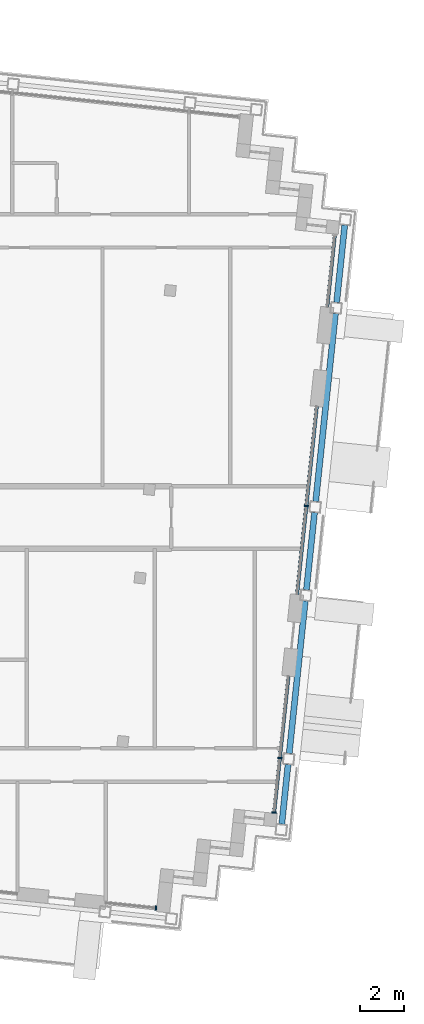
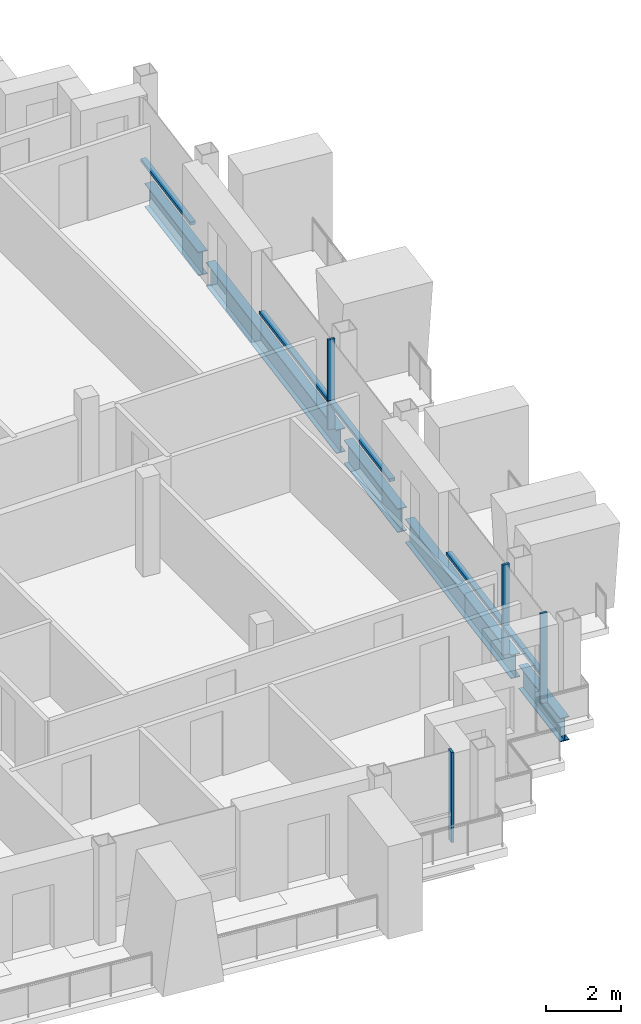
# One storey, part 4 of 17: 9 members, 5 beams, 4 elements without a shape of their own.
"""IFC4 building model written with IfcOpenShell, lengths in metres."""

from ifc_helpers import new_model, si_unit, direction, frame, origin, origin_2d, place, context, subcontext, project, spatial, rectangle, i_section, extrude, material, material_profile, profile_set, type_object, element, aggregate, save


model = new_model("IFC4")

# Units and contexts
model_context = context("Model", 3, precision=1e-05, world=origin(), true_north=direction((0.0, 1.0)))
body_context = subcontext(model_context, "Body", "Model", "MODEL_VIEW")
ifc_project = project(units=[si_unit("LENGTHUNIT", "METRE"), si_unit("AREAUNIT", "SQUARE_METRE"), si_unit("VOLUMEUNIT", "CUBIC_METRE"), si_unit("PLANEANGLEUNIT", "RADIAN"), si_unit("MASSUNIT", "GRAM", prefix="KILO")], contexts=[model_context])

# Site, building, storey
site_placement = place(None, origin())
site = spatial("IfcSite", under=ifc_project, at=site_placement, CompositionType="ELEMENT")
building_placement = place(site_placement, origin())
building = spatial("IfcBuilding", under=site, at=building_placement, Name="Vidyagriha Tower", CompositionType="ELEMENT")
storey_placement = place(building_placement, frame((0.0, 0.0, 265.89990234375)))
storey = spatial("IfcBuildingStorey", under=building, at=storey_placement, Name="L69", CompositionType="ELEMENT", Elevation=265.89990234375)

# Beams
ifc_material_1 = material(Name="Steel ASTM A992 Grade 50", Category="steel")
ifc_material_profile_1 = material_profile(ifc_material_1, i_section(OverallWidth=0.2666015625, OverallDepth=0.76953125, WebThickness=0.015625, FlangeThickness=0.025390625, at=origin_2d()), Name="W30X132")
ifc_profile_set_1 = profile_set([ifc_material_profile_1], Name="Steel ASTM A992 Grade 50")
beam_type = type_object("IfcBeamType", Name="Cantilever edge beam W30X132", PredefinedType="SPANDREL", material=ifc_profile_set_1)
beam_1_placement = place(storey_placement, frame((29.968017578125, -13.79736328125, -0.664794921875), z_axis=(0.104435320588, 0.994531680649, 0.0), x_axis=(-0.994531680649, 0.104435320588, 0.0)))
element("IfcBeam", 1, at=beam_1_placement, inside=storey, type_object=beam_type, Name="st-beam-L69-E13", PredefinedType="SPANDREL", context=body_context, shape_type="SweptSolid", body=[
    extrude(i_section(OverallWidth=0.2666015625, OverallDepth=0.76953125, WebThickness=0.015625, FlangeThickness=0.025390625, at=origin_2d()), origin(), (0.0, 0.0, 1.0), 2.699951171875),
])
beam_2_placement = place(storey_placement, frame((30.30224609375, -10.61474609375, -0.664794921875), z_axis=(0.104557694553, 0.994518822602, 0.0), x_axis=(-0.994518822602, 0.104557694553, 0.0)))
element("IfcBeam", 2, at=beam_2_placement, inside=storey, type_object=beam_type, Name="st-beam-L69-E14", PredefinedType="SPANDREL", context=body_context, shape_type="SweptSolid", body=[
    extrude(i_section(OverallWidth=0.2666015625, OverallDepth=0.76953125, WebThickness=0.015625, FlangeThickness=0.025390625, at=origin_2d()), origin(), (0.0, 0.0, 1.0), 6.89990234375),
])
beam_3_placement = place(storey_placement, frame((31.075927734375, -3.25537109375, -0.664794921875), z_axis=(0.104495960989, 0.994525310958, 0.0), x_axis=(-0.994525310958, 0.104495960989, 0.0)))
element("IfcBeam", 3, at=beam_3_placement, inside=storey, type_object=beam_type, Name="st-beam-L69-E15", PredefinedType="SPANDREL", context=body_context, shape_type="SweptSolid", body=[
    extrude(i_section(OverallWidth=0.2666015625, OverallDepth=0.76953125, WebThickness=0.015625, FlangeThickness=0.025390625, at=origin_2d()), origin(), (0.0, 0.0, 1.0), 3.499755859375),
])
beam_4_placement = place(storey_placement, frame((31.493896484375, 0.72265625, -0.664794921875), z_axis=(0.104550220202, 0.994519608382, 0.0), x_axis=(-0.994519608382, 0.104550220202, 0.0)))
element("IfcBeam", 4, at=beam_4_placement, inside=storey, type_object=beam_type, Name="st-beam-L69-E16", PredefinedType="SPANDREL", context=body_context, shape_type="SweptSolid", body=[
    extrude(i_section(OverallWidth=0.2666015625, OverallDepth=0.76953125, WebThickness=0.015625, FlangeThickness=0.025390625, at=origin_2d()), origin(), (0.0, 0.0, 1.0), 8.5),
])
beam_5_placement = place(storey_placement, frame((32.434814453125, 9.67333984375, -0.664794921875), z_axis=(0.104488712073, 0.994526072584, 0.0), x_axis=(-0.994526072584, 0.104488712073, 0.0)))
element("IfcBeam", 5, at=beam_5_placement, inside=storey, type_object=beam_type, Name="st-beam-L69-E17", PredefinedType="SPANDREL", context=body_context, shape_type="SweptSolid", body=[
    extrude(i_section(OverallWidth=0.2666015625, OverallDepth=0.76953125, WebThickness=0.015625, FlangeThickness=0.025390625, at=origin_2d()), origin(), (0.0, 0.0, 1.0), 3.5),
])

# Curtain wall, member
ifc_material_2 = material(Name="Aluminium and glass curtain wall", Category="aluminium")
curtain_wall_type = type_object("IfcCurtainWallType", Name="Dwelling skin unitised curtain wall", PredefinedType="USERDEFINED", material=ifc_material_2)
curtain_wall_1_placement = place(storey_placement, origin())
curtain_wall_1 = element("IfcCurtainWall", 6, at=curtain_wall_1_placement, inside=storey, type_object=curtain_wall_type, Name="CW1 dwelling skin", ObjectType="UNITISED", PredefinedType="USERDEFINED")
ifc_material_3 = material(Name="Aluminium black anodised", Category="aluminium")
ifc_material_profile_2 = material_profile(ifc_material_3, rectangle(XDim=0.199951171875, YDim=0.070068359375, at=origin_2d()), Name="Mullion 70x200 black aluminium")
ifc_profile_set_2 = profile_set([ifc_material_profile_2], Name="Aluminium black anodised")
member_type_1 = type_object("IfcMemberType", Name="Mullion 70x200 black aluminium", PredefinedType="MULLION", material=ifc_profile_set_2)
member_1_placement = place(storey_placement, frame((24.306884765625, -17.576171875, 0.0), z_axis=(0.0, 0.0, 1.0), x_axis=(0.10452182883, 0.994522592653, 0.0)))
member_1 = element("IfcMember", 7, at=member_1_placement, type_object=member_type_1, Name="CW1 mullion 2", PredefinedType="MULLION", context=body_context, shape_type="SweptSolid", body=[
    extrude(rectangle(XDim=0.199951171875, YDim=0.070068359375, at=origin_2d()), origin(), (0.0, 0.0, 1.0), 2.920166015625),
])
aggregate(curtain_wall_1, [member_1])

# Curtain wall, members
curtain_wall_2_placement = place(storey_placement, origin())
curtain_wall_2 = element("IfcCurtainWall", 8, at=curtain_wall_2_placement, inside=storey, type_object=curtain_wall_type, Name="CW1 dwelling skin", ObjectType="UNITISED", PredefinedType="USERDEFINED")
member_2_placement = place(storey_placement, frame((29.620849609375, -13.273193359375, 0.0), z_axis=(0.0, 0.0, 1.0), x_axis=(-0.994521437861, 0.10453281607, 0.0)))
member_2 = element("IfcMember", 9, at=member_2_placement, type_object=member_type_1, Name="CW1 mullion 1", PredefinedType="MULLION", context=body_context, shape_type="SweptSolid", body=[
    extrude(rectangle(XDim=0.199951171875, YDim=0.070068359375, at=origin_2d()), origin(), (0.0, 0.0, 1.0), 2.920166015625),
])
member_3_placement = place(storey_placement, frame((29.87841796875, -10.82177734375, 0.0), z_axis=(0.0, 0.0, 1.0), x_axis=(-0.994521437861, 0.10453281607, 0.0)))
member_3 = element("IfcMember", 10, at=member_3_placement, type_object=member_type_1, Name="CW1 mullion 2", PredefinedType="MULLION", context=body_context, shape_type="SweptSolid", body=[
    extrude(rectangle(XDim=0.199951171875, YDim=0.070068359375, at=origin_2d()), origin(), (0.0, 0.0, 1.0), 2.920166015625),
])

# Curtain wall, member
curtain_wall_3_placement = place(storey_placement, origin())
curtain_wall_3 = element("IfcCurtainWall", 11, at=curtain_wall_3_placement, inside=storey, type_object=curtain_wall_type, Name="CW1 dwelling skin", ObjectType="UNITISED", PredefinedType="USERDEFINED")
member_4_placement = place(storey_placement, frame((31.070068359375, 0.515869140625, 0.0), z_axis=(0.0, 0.0, 1.0), x_axis=(-0.994521750347, 0.104529843047, 0.0)))
member_4 = element("IfcMember", 12, at=member_4_placement, type_object=member_type_1, Name="CW1 mullion 2", PredefinedType="MULLION", context=body_context, shape_type="SweptSolid", body=[
    extrude(rectangle(XDim=0.199951171875, YDim=0.070068359375, at=origin_2d()), origin(), (0.0, 0.0, 1.0), 2.920166015625),
])

# Member
ifc_material_4 = material(Name="Aluminium black anodised", Category="aluminium")
ifc_material_profile_3 = material_profile(ifc_material_4, rectangle(XDim=0.159912109375, YDim=0.10009765625, at=origin_2d()), Name="Transom 100x160 black aluminium")
ifc_profile_set_3 = profile_set([ifc_material_profile_3], Name="Aluminium black anodised")
member_type_2 = type_object("IfcMemberType", Name="Transom 100x160 black aluminium", PredefinedType="USERDEFINED", material=ifc_profile_set_3)
member_5_placement = place(storey_placement, frame((29.62451171875, -13.23828125, 0.900146484375), z_axis=(0.104488443352, 0.994526100817, 0.0), x_axis=(-0.994526100817, 0.104488443352, 0.0)))
member_5 = element("IfcMember", 13, at=member_5_placement, type_object=member_type_2, Name="CW1 transom 1.1", ObjectType="TRANSOM", PredefinedType="USERDEFINED", context=body_context, shape_type="SweptSolid", body=[
    extrude(rectangle(XDim=0.159912109375, YDim=0.10009765625, at=origin_2d()), origin(), (0.0, 0.0, 1.0), 2.39501953125),
])

member_6_placement = place(storey_placement, frame((29.882080078125, -10.786865234375, 0.900146484375), z_axis=(0.104521800028, 0.99452259568, 0.0), x_axis=(-0.99452259568, 0.104521800028, 0.0)))
member_6 = element("IfcMember", 14, at=member_6_placement, type_object=member_type_2, Name="CW1 transom 2.1", ObjectType="TRANSOM", PredefinedType="USERDEFINED", context=body_context, shape_type="SweptSolid", body=[
    extrude(rectangle(XDim=0.159912109375, YDim=0.10009765625, at=origin_2d()), origin(), (0.0, 0.0, 1.0), 3.664794921875),
])

aggregate(curtain_wall_2, [member_2, member_3, member_5, member_6])

member_7_placement = place(storey_placement, frame((30.65185546875, -3.462158203125, 0.900146484375), z_axis=(0.104550167438, 0.994519613929, 0.0), x_axis=(-0.994519613929, 0.104550167438, 0.0)))
member_7 = element("IfcMember", 15, at=member_7_placement, type_object=member_type_2, Name="CW1 transom 1.1", ObjectType="TRANSOM", PredefinedType="USERDEFINED", context=body_context, shape_type="SweptSolid", body=[
    extrude(rectangle(XDim=0.159912109375, YDim=0.10009765625, at=origin_2d()), origin(), (0.0, 0.0, 1.0), 3.965087890625),
])

member_8_placement = place(storey_placement, frame((31.07373046875, 0.55078125, 0.900146484375), z_axis=(0.104494075643, 0.994525509052, 0.0), x_axis=(-0.994525509052, 0.104494075643, 0.0)))
member_8 = element("IfcMember", 16, at=member_8_placement, type_object=member_type_2, Name="CW1 transom 2.1", ObjectType="TRANSOM", PredefinedType="USERDEFINED", context=body_context, shape_type="SweptSolid", body=[
    extrude(rectangle(XDim=0.159912109375, YDim=0.10009765625, at=origin_2d()), origin(), (0.0, 0.0, 1.0), 4.46484375),
])

aggregate(curtain_wall_3, [member_4, member_7, member_8])

# Curtain wall, member
curtain_wall_4_placement = place(storey_placement, origin())
curtain_wall_4 = element("IfcCurtainWall", 17, at=curtain_wall_4_placement, inside=storey, type_object=curtain_wall_type, Name="CW1 dwelling skin", ObjectType="UNITISED", PredefinedType="USERDEFINED")
member_9_placement = place(storey_placement, frame((32.0107421875, 9.466552734375, 0.900146484375), z_axis=(0.104531339354, 0.994521593075, 0.0), x_axis=(-0.994521593075, 0.104531339354, 0.0)))
member_9 = element("IfcMember", 18, at=member_9_placement, type_object=member_type_2, Name="CW1 transom 1.1", ObjectType="TRANSOM", PredefinedType="USERDEFINED", context=body_context, shape_type="SweptSolid", body=[
    extrude(rectangle(XDim=0.159912109375, YDim=0.10009765625, at=origin_2d()), origin(), (0.0, 0.0, 1.0), 3.22998046875),
])
aggregate(curtain_wall_4, [member_9])

save(model, "model.ifc")
